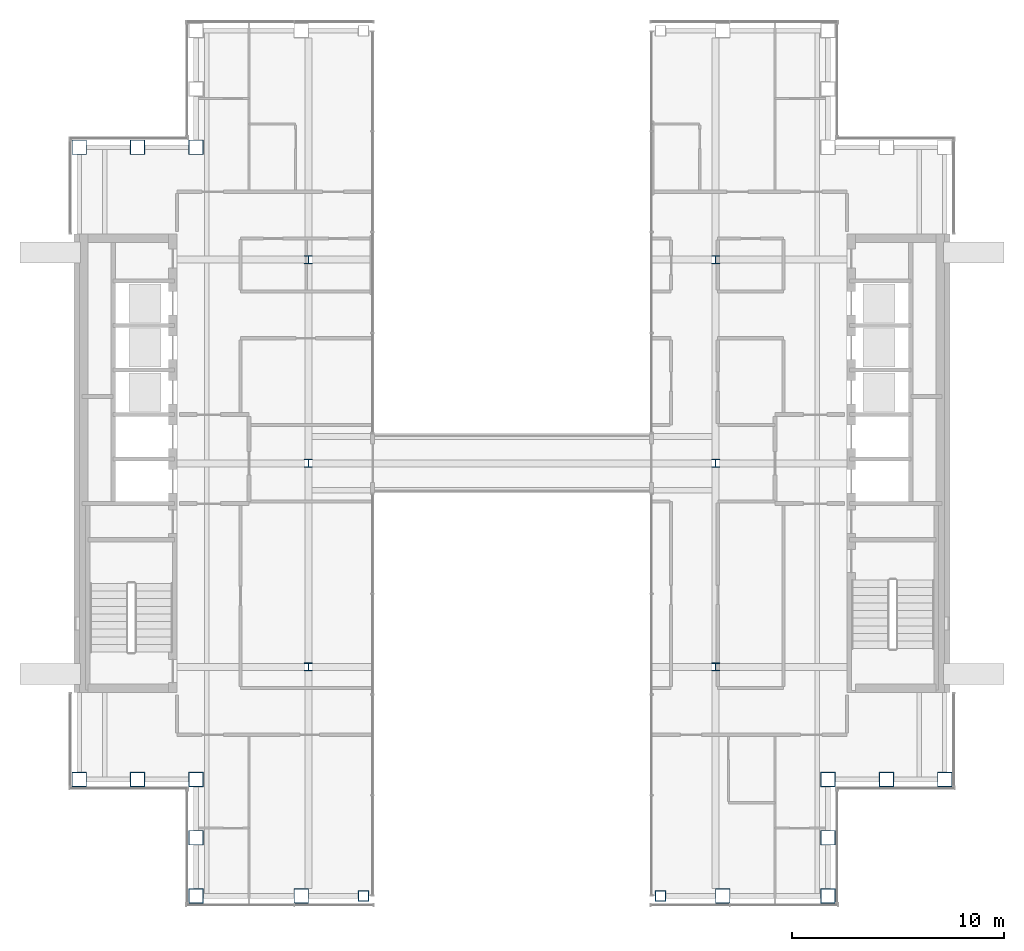
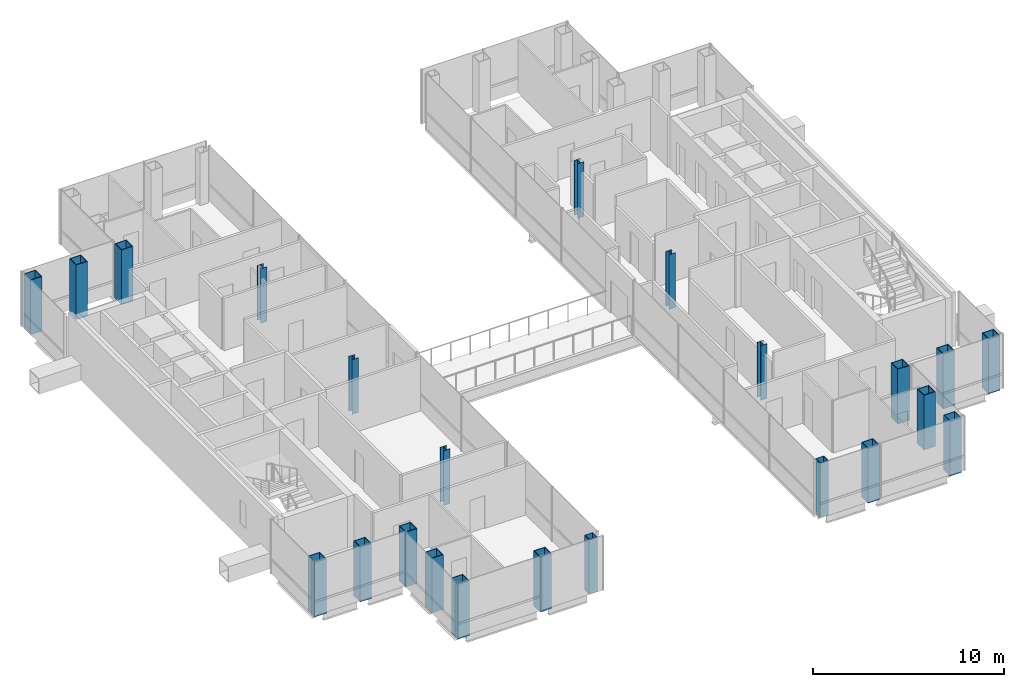
# One storey, part 1 of 16: 23 columns.
"""IFC4 building model written with IfcOpenShell, lengths in metres."""

import ifcopenshell
import ifcopenshell.guid

model = None  # the IFC model being written
_history = None  # IfcOwnerHistory: only IFC2X3 demands one
_inside = {}  # id of a spatial element -> (the spatial element, [elements in it])
_under = {}  # id of a project, library or spatial element -> (it, [spatial elements below it])
_declared = {}  # id of a project -> (the project, [libraries it declares])
_typed = {}  # id of a type object -> (the type object, [elements of that type])
_made_of = {}  # id of a material, layer set ... -> (it, [elements and type objects made of it])


def new_model(schema):
    """Start an empty IFC model of exactly this schema.

    Asked for "IFC4X3", IfcOpenShell would pick the latest addendum, in which some entities
    have other attributes; the version numbers below select the first issue.
    IFC2X3 requires an IfcOwnerHistory on every rooted entity: one is made here for all.
    """
    global model, _history
    if schema == "IFC4X3":
        model = ifcopenshell.file(schema_version=(4, 3, 0, 0))
    else:
        model = ifcopenshell.file(schema=schema)
    _inside.clear()
    _under.clear()
    _declared.clear()
    _typed.clear()
    _made_of.clear()
    _history = None
    if model.schema == "IFC2X3":
        org = make("IfcOrganization", Name="unknown")
        user = make(
            "IfcPersonAndOrganization",
            ThePerson=make("IfcPerson", FamilyName="unknown"),
            TheOrganization=org,
        )
        app = make(
            "IfcApplication",
            ApplicationDeveloper=org,
            Version="unknown",
            ApplicationFullName="unknown",
            ApplicationIdentifier="unknown",
        )
        _history = make(
            "IfcOwnerHistory",
            OwningUser=user,
            OwningApplication=app,
            ChangeAction="ADDED",
            CreationDate=0,
        )
    return model


def make(cls, **values):
    """One entity of the class cls with the attributes given. An attribute that is None is left unset."""
    return model.create_entity(
        cls, **{name: value for name, value in values.items() if value is not None}
    )


def rooted(cls, **values):
    """An entity with a GlobalId (a new one), such as an element, a storey or a relation."""
    return make(cls, GlobalId=ifcopenshell.guid.new(), OwnerHistory=_history, **values)


def si_unit(unit_type, name, prefix=None):
    """IfcSIUnit, for example si_unit("LENGTHUNIT", "METRE", prefix="MILLI")."""
    return make("IfcSIUnit", UnitType=unit_type, Prefix=prefix, Name=name)


def assignment(units):
    """IfcUnitAssignment: the units of a project."""
    return None if units is None else make("IfcUnitAssignment", Units=units)


def point(xyz):
    """IfcCartesianPoint."""
    return None if xyz is None else make("IfcCartesianPoint", Coordinates=xyz)


def direction(xyz):
    """IfcDirection."""
    return None if xyz is None else make("IfcDirection", DirectionRatios=xyz)


def frame(location, z_axis=None, x_axis=None):
    """IfcAxis2Placement3D, a coordinate frame: its origin and axes. An axis left out is left unset."""
    return make(
        "IfcAxis2Placement3D",
        Location=point(location),
        Axis=direction(z_axis),
        RefDirection=direction(x_axis),
    )


def frame_2d(location, x_axis=None):
    """IfcAxis2Placement2D, a coordinate frame in the plane: its origin and x axis."""
    return make(
        "IfcAxis2Placement2D", Location=point(location), RefDirection=direction(x_axis)
    )


def origin():
    """The frame at (0, 0, 0) with its axes left unset."""
    return frame((0.0, 0.0, 0.0))


def origin_2d():
    """The frame at (0, 0) in the plane with its x axis left unset."""
    return frame_2d((0.0, 0.0))


def place(relative_to, where):
    """IfcLocalPlacement: puts the frame where relative to a parent placement (None: the world)."""
    return make(
        "IfcLocalPlacement", PlacementRelTo=relative_to, RelativePlacement=where
    )


def context(
    kind, dimensions, precision=None, world=None, true_north=None, identifier=None
):
    """IfcGeometricRepresentationContext, for example the 3D "Model" context."""
    return make(
        "IfcGeometricRepresentationContext",
        ContextIdentifier=identifier,
        ContextType=kind,
        CoordinateSpaceDimension=dimensions,
        Precision=precision,
        WorldCoordinateSystem=world,
        TrueNorth=true_north,
    )


def subcontext(parent, identifier, kind, view, scale=None):
    """IfcGeometricRepresentationSubContext, for example "Body" below "Model"."""
    return make(
        "IfcGeometricRepresentationSubContext",
        ContextIdentifier=identifier,
        ContextType=kind,
        ParentContext=parent,
        TargetScale=scale,
        TargetView=view,
    )


def project(units=None, contexts=None):
    """IfcProject with its units and contexts."""
    return rooted(
        "IfcProject",
        Name="project",
        RepresentationContexts=contexts,
        UnitsInContext=assignment(units),
    )


def spatial(cls, under=None, at=None, **own):
    """A site, building, storey or space (cls), placed at a placement, below another one or the project."""
    s = rooted(cls, ObjectPlacement=at, **own)
    if under is not None:
        _under.setdefault(under.id(), (under, []))[1].append(s)
    return s


def profile(cls, at=None, kind="AREA", **sizes):
    """A parametric profile (cls). Its sizes go by their IFC names, for example OverallWidth=200.0."""
    return make(cls, ProfileType=kind, Position=at, **sizes)


def hollow_rectangle(**sizes):
    """IfcRectangleHollowProfileDef."""
    return profile("IfcRectangleHollowProfileDef", **sizes)


def i_section(**sizes):
    """IfcIShapeProfileDef."""
    return profile("IfcIShapeProfileDef", **sizes)


def extrude(swept, where, along, depth):
    """IfcExtrudedAreaSolid: the profile swept, set in the frame where, extruded along a direction by depth."""
    return make(
        "IfcExtrudedAreaSolid",
        SweptArea=swept,
        Position=where,
        ExtrudedDirection=direction(along),
        Depth=depth,
    )


def shape(context_of_items, identifier, shape_type, items):
    """IfcShapeRepresentation: the items that make up one representation, for example the "Body"."""
    return make(
        "IfcShapeRepresentation",
        ContextOfItems=context_of_items,
        RepresentationIdentifier=identifier,
        RepresentationType=shape_type,
        Items=items,
    )


def material(Name=None, Category=None):
    """IfcMaterial."""
    return make("IfcMaterial", Name=Name, Category=Category)


def material_profile(
    of_material, cross_section, Name=None, Category=None, Priority=None
):
    """IfcMaterialProfile: a cross section and its material."""
    return make(
        "IfcMaterialProfile",
        Name=Name,
        Material=of_material,
        Profile=cross_section,
        Priority=Priority,
        Category=Category,
    )


def profile_set(profiles, Name=None, composite=None):
    """IfcMaterialProfileSet."""
    return make(
        "IfcMaterialProfileSet",
        Name=Name,
        MaterialProfiles=profiles,
        CompositeProfile=composite,
    )


def made_of(thing, what):
    """Note that an element or type object is made of a material, layer set ...; save() writes the relation."""
    if what is not None:
        _made_of.setdefault(what.id(), (what, []))[1].append(thing)
    return thing


def type_object(cls, material=None, **own):
    """A type object (cls), such as IfcWallType, which elements share."""
    return made_of(rooted(cls, **own), material)


def element(
    cls,
    number,
    at=None,
    inside=None,
    cuts=None,
    type_object=None,
    material=None,
    context=None,
    identifier="Body",
    shape_type=None,
    held_by="IfcProductDefinitionShape",
    body=None,
    shapes=None,
    **own,
):
    """One element of the class cls, such as IfcWall. Its Tag is "e" and its number.

    at: its placement. inside: the storey or other place that contains it. cuts: it is an
    opening in that element (IfcRelVoidsElement). A single representation is given by context,
    identifier, shape_type and body (its items); several are given by shapes. held_by: the class
    of the entity that holds the representations. save() writes the other relations.
    """
    e = rooted(cls, Tag="e%d" % number, ObjectPlacement=at, **own)
    if body is not None:
        shapes = [shape(context, identifier, shape_type, body)]
    if shapes is not None:
        e.Representation = make(held_by, Representations=shapes)
    if inside is not None:
        _inside.setdefault(inside.id(), (inside, []))[1].append(e)
    if cuts is not None:
        rooted(
            "IfcRelVoidsElement", RelatingBuildingElement=cuts, RelatedOpeningElement=e
        )
    if type_object is not None:
        _typed.setdefault(type_object.id(), (type_object, []))[1].append(e)
    return made_of(e, material)


def aggregate(whole, parts):
    """IfcRelAggregates: a whole, such as a stair, and the parts it consists of."""
    return rooted("IfcRelAggregates", RelatingObject=whole, RelatedObjects=parts)


def save(model, path):
    """Write the relations noted so far, then the file.

    IfcRelAggregates (storeys below a building ...), IfcRelContainedInSpatialStructure (elements
    in a storey), IfcRelDefinesByType, IfcRelAssociatesMaterial and IfcRelDeclares: one each for
    every whole, place, type object, material and project.
    """
    for whole, parts in _under.values():
        aggregate(whole, parts)
    for where, things in _inside.values():
        rooted(
            "IfcRelContainedInSpatialStructure",
            RelatedElements=things,
            RelatingStructure=where,
        )
    for kind, things in _typed.values():
        rooted("IfcRelDefinesByType", RelatedObjects=things, RelatingType=kind)
    for what, things in _made_of.values():
        rooted("IfcRelAssociatesMaterial", RelatedObjects=things, RelatingMaterial=what)
    for by, libraries in _declared.values():
        rooted("IfcRelDeclares", RelatingContext=by, RelatedDefinitions=libraries)
    model.write(path)


model = new_model("IFC4")

# Units and contexts
model_context = context("Model", 3, precision=1e-05, world=origin(), true_north=direction((0.0, 1.0)))
body_context = subcontext(model_context, "Body", "Model", "MODEL_VIEW")
ifc_project = project(units=[si_unit("LENGTHUNIT", "METRE"), si_unit("AREAUNIT", "SQUARE_METRE"), si_unit("VOLUMEUNIT", "CUBIC_METRE"), si_unit("PLANEANGLEUNIT", "RADIAN"), si_unit("MASSUNIT", "GRAM", prefix="KILO")], contexts=[model_context])

# Site, building, storey
site_placement = place(None, origin())
site = spatial("IfcSite", under=ifc_project, at=site_placement, CompositionType="ELEMENT")
building_placement = place(site_placement, origin())
building = spatial("IfcBuilding", under=site, at=building_placement, Name="Cobrizo Arcos Hotel Tower", CompositionType="ELEMENT")
storey_placement = place(building_placement, frame((0.0, 0.0, 229.5)))
storey = spatial("IfcBuildingStorey", under=building, at=storey_placement, Name="L60", CompositionType="ELEMENT", Elevation=229.5)

# Columns
ifc_material_1 = material(Name="Steel ASTM A572 Grade 50", Category="steel")
ifc_material_profile_1 = material_profile(ifc_material_1, hollow_rectangle(XDim=0.5, YDim=0.5, WallThickness=0.030029296875, at=origin_2d()), Name="BOX 500X500X30")
ifc_profile_set_1 = profile_set([ifc_material_profile_1], Name="Steel ASTM A572 Grade 50")
column_type_1 = type_object("IfcColumnType", Name="BOX 500X500X30 column", PredefinedType="COLUMN", material=ifc_profile_set_1)
for number, where, z_axis, x_axis, name in (
    (1, (-7.0, -20.39990234375, -0.14990234375), (0.0, 0.0, 1.0), (1.0, 0.0, 0.0), "Perimeter column C11, L60, no. 25"),
    (2, (7.0, -20.39990234375, -0.14990234375), (0.0, 0.0, 1.0), (1.0, 0.0, 0.0), "Perimeter column C11, L60, no. 27"),
):
    element("IfcColumn", number, at=place(storey_placement, frame(where, z_axis=z_axis, x_axis=x_axis)), inside=storey, type_object=column_type_1, Name=name, PredefinedType="COLUMN", context=body_context, shape_type="SweptSolid", body=[
        extrude(hollow_rectangle(XDim=0.5, YDim=0.5, WallThickness=0.030029296875, at=origin_2d()), origin(), (0.0, 0.0, 1.0), 3.5),
    ])
ifc_material_profile_2 = material_profile(ifc_material_1, hollow_rectangle(XDim=0.699951171875, YDim=0.699951171875, WallThickness=0.0400390625, at=origin_2d()), Name="BOX 700X700X40")
ifc_profile_set_2 = profile_set([ifc_material_profile_2], Name="Steel ASTM A572 Grade 50")
column_type_2 = type_object("IfcColumnType", Name="BOX 700X700X40 column", PredefinedType="COLUMN", material=ifc_profile_set_2)
for number, where, z_axis, x_axis, name in (
    (3, (-14.89990234375, -20.39990234375, -0.14990234375), (0.0, 0.0, 1.0), (1.0, 0.0, 0.0), "Perimeter column C10, L60, no. 01"),
    (4, (-9.93310546875, -20.39990234375, -0.14990234375), (0.0, 0.0, 1.0), (1.0, 0.0, 0.0), "Perimeter column C10, L60, no. 03"),
    (5, (9.93310546875, -20.39990234375, -0.14990234375), (0.0, 0.0, 1.0), (1.0, 0.0, 0.0), "Perimeter column C10, L60, no. 05"),
    (6, (14.89990234375, -20.39990234375, -0.14990234375), (0.0, 0.0, 1.0), (1.0, 0.0, 0.0), "Perimeter column C10, L60, no. 07"),
    (7, (20.39990234375, -14.89990234375, -0.14990234375), (0.0, 0.0, 1.0), (1.0, 0.0, 0.0), "Perimeter column C10, L60, no. 08"),
    (8, (-20.39990234375, -14.89990234375, -0.14990234375), (0.0, 0.0, 1.0), (1.0, 0.0, 0.0), "Perimeter column C10, L60, no. 09"),
    (9, (-20.39990234375, 14.89990234375, -0.14990234375), (0.0, 0.0, 1.0), (1.0, 0.0, 0.0), "Perimeter column C10, L60, no. 11"),
    (10, (-14.89990234375, -14.89990234375, -0.14990234375), (0.0, 0.0, 1.0), (1.0, 0.0, 0.0), "Perimeter column C10, L60, no. 12"),
    (11, (-14.89990234375, -17.64990234375, -0.14990234375), (0.0, 0.0, 1.0), (1.0, 0.0, 0.0), "Perimeter column C10, L60, no. 13"),
    (12, (-17.64990234375, -14.89990234375, -0.14990234375), (0.0, 0.0, 1.0), (1.0, 0.0, 0.0), "Perimeter column C10, L60, no. 14"),
    (13, (-14.89990234375, 14.89990234375, -0.14990234375), (0.0, 0.0, 1.0), (1.0, 0.0, 0.0), "Perimeter column C10, L60, no. 15"),
    (14, (-17.64990234375, 14.89990234375, -0.14990234375), (0.0, 0.0, 1.0), (1.0, 0.0, 0.0), "Perimeter column C10, L60, no. 17"),
    (15, (14.89990234375, -14.89990234375, -0.14990234375), (0.0, 0.0, 1.0), (1.0, 0.0, 0.0), "Perimeter column C10, L60, no. 18"),
    (16, (14.89990234375, -17.64990234375, -0.14990234375), (0.0, 0.0, 1.0), (1.0, 0.0, 0.0), "Perimeter column C10, L60, no. 19"),
    (17, (17.64990234375, -14.89990234375, -0.14990234375), (0.0, 0.0, 1.0), (1.0, 0.0, 0.0), "Perimeter column C10, L60, no. 20"),
):
    element("IfcColumn", number, at=place(storey_placement, frame(where, z_axis=z_axis, x_axis=x_axis)), inside=storey, type_object=column_type_2, Name=name, PredefinedType="COLUMN", context=body_context, shape_type="SweptSolid", body=[
        extrude(hollow_rectangle(XDim=0.699951171875, YDim=0.699951171875, WallThickness=0.0400390625, at=origin_2d()), origin(), (0.0, 0.0, 1.0), 3.5),
    ])
ifc_material_2 = material(Name="Steel ASTM A992 Grade 50", Category="steel")
ifc_material_profile_3 = material_profile(ifc_material_2, i_section(OverallWidth=0.373291015625, OverallDepth=0.373291015625, WebThickness=0.016357421875, FlangeThickness=0.026123046875, at=origin_2d()), Name="W14X132")
ifc_profile_set_3 = profile_set([ifc_material_profile_3], Name="Steel ASTM A992 Grade 50")
column_type_3 = type_object("IfcColumnType", Name="W14X132 interior column", PredefinedType="COLUMN", material=ifc_profile_set_3)
for number, where, z_axis, x_axis, name in (
    (18, (-9.60009765625, -9.60009765625, -0.14990234375), (0.0, 0.0, 1.0), (1.0, 0.0, 0.0), "Interior column C9, L60, no. 00"),
    (19, (-9.60009765625, 0.0, -0.14990234375), (0.0, 0.0, 1.0), (1.0, 0.0, 0.0), "Interior column C9, L60, no. 01"),
    (20, (-9.60009765625, 9.60009765625, -0.14990234375), (0.0, 0.0, 1.0), (1.0, 0.0, 0.0), "Interior column C9, L60, no. 02"),
    (21, (9.60009765625, -9.60009765625, -0.14990234375), (0.0, 0.0, 1.0), (1.0, 0.0, 0.0), "Interior column C9, L60, no. 03"),
    (22, (9.60009765625, 0.0, -0.14990234375), (0.0, 0.0, 1.0), (1.0, 0.0, 0.0), "Interior column C9, L60, no. 04"),
    (23, (9.60009765625, 9.60009765625, -0.14990234375), (0.0, 0.0, 1.0), (1.0, 0.0, 0.0), "Interior column C9, L60, no. 05"),
):
    element("IfcColumn", number, at=place(storey_placement, frame(where, z_axis=z_axis, x_axis=x_axis)), inside=storey, type_object=column_type_3, Name=name, PredefinedType="COLUMN", context=body_context, shape_type="SweptSolid", body=[
        extrude(i_section(OverallWidth=0.373291015625, OverallDepth=0.373291015625, WebThickness=0.016357421875, FlangeThickness=0.026123046875, at=origin_2d()), origin(), (0.0, 0.0, 1.0), 3.5),
    ])

save(model, "model.ifc")
